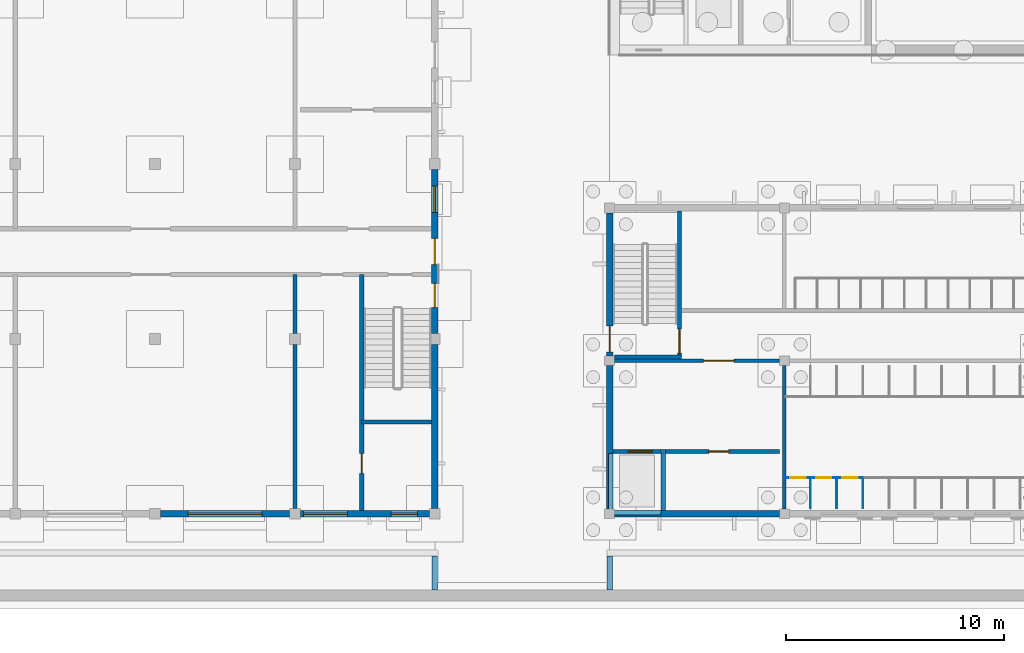
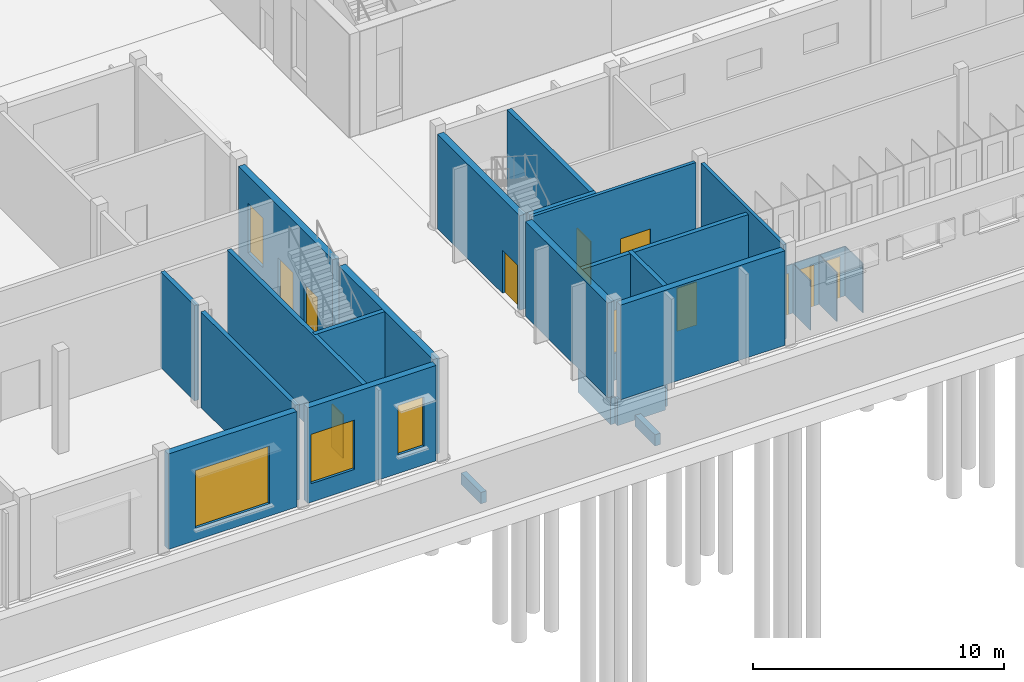
# One storey, part 75 of 157: 30 walls, 11 doors, 4 windows, 15 openings.
"""IFC4 building model written with IfcOpenShell, lengths in metres."""

from ifc_helpers import new_model, si_unit, direction, frame, frame_2d, origin, place, context, subcontext, project, spatial, rectangle, extrude, material, layer, layer_set, type_object, element, fill, save


model = new_model("IFC4")

# Units and contexts
model_context = context("Model", 3, precision=1e-05, world=origin(), true_north=direction((0.0, 1.0)))
body_context = subcontext(model_context, "Body", "Model", "MODEL_VIEW")
ifc_project = project(units=[si_unit("LENGTHUNIT", "METRE"), si_unit("AREAUNIT", "SQUARE_METRE"), si_unit("VOLUMEUNIT", "CUBIC_METRE"), si_unit("PLANEANGLEUNIT", "RADIAN"), si_unit("MASSUNIT", "GRAM", prefix="KILO")], contexts=[model_context])

# Site, building, storey
site_placement = place(None, origin())
site = spatial("IfcSite", under=ifc_project, at=site_placement, CompositionType="ELEMENT")
building_placement = place(site_placement, origin())
building = spatial("IfcBuilding", under=site, at=building_placement, Name="Windward Yard Aquatics Centre", CompositionType="ELEMENT")
storey_placement = place(building_placement, origin())
storey = spatial("IfcBuildingStorey", under=building, at=storey_placement, Name="L00", CompositionType="ELEMENT", Elevation=0.0)

# Wall, opening, door
ifc_material_1 = material(Name="Concrete masonry unit plastered", Category="masonry")
ifc_layer_1 = layer(ifc_material_1, 0.14990234375)
ifc_layer_set_1 = layer_set([ifc_layer_1], Name="C block partition 150")
wall_type_1 = type_object("IfcWallType", Name="C block partition 150", PredefinedType="PARTITIONING", material=ifc_layer_set_1)
wall_1_placement = place(storey_placement, frame((52.22509765625, 12.0, 0.0), z_axis=(0.0, 0.0, 1.0), x_axis=(1.0, 0.0, 0.0)))
wall_1 = element("IfcWall", 1, at=wall_1_placement, inside=storey, type_object=wall_type_1, Name="C.W.L00.SP.S.1", PredefinedType="PARTITIONING", context=body_context, shape_type="SweptSolid", body=[
    extrude(rectangle(XDim=7.5498046875, YDim=0.14990234375, at=frame_2d((3.77490234375, 0.0))), origin(), (0.0, 0.0, 1.0), 4.60009765625),
])
opening_1_placement = place(wall_1_placement, frame((4.074951171875, 0.0, 0.0)))
opening_1 = element("IfcOpeningElement", 2, at=opening_1_placement, cuts=wall_1, Name="Opening C0024", PredefinedType="OPENING", context=body_context, shape_type="SweptSolid", body=[
    extrude(rectangle(XDim=1.39990234375, YDim=2.10009765625, at=frame_2d((0.699951171875, 1.050048828125))), frame((0.0, 0.0849609375, 0.0), z_axis=(0.0, -1.0, 0.0), x_axis=(1.0, 0.0, 0.0)), (0.0, 0.0, 1.0), 0.169921875),
])
ifc_material_2 = material(Name="Aluminium framed glazed door", Category="aluminium")
door_type_1 = type_object("IfcDoorType", Name="C glazed door 1400X2100 FD30S", OperationType="SINGLE_SWING_LEFT", PredefinedType="DOOR", material=ifc_material_2)
door_1_placement = place(opening_1_placement, origin())
door_1 = element("IfcDoor", 3, at=door_1_placement, inside=storey, type_object=door_type_1, Name="Door C0024", OperationType="SINGLE_SWING_LEFT", OverallHeight=2.10009765625, OverallWidth=1.39990234375, PredefinedType="DOOR", context=body_context, shape_type="SweptSolid", body=[
    extrude(rectangle(XDim=1.39990234375, YDim=2.10009765625, at=frame_2d((0.699951171875, 1.050048828125))), frame((0.0, 0.02490234375, 0.0), z_axis=(0.0, -1.0, 0.0), x_axis=(1.0, 0.0, 0.0)), (0.0, 0.0, 1.0), 0.050048828125),
])
fill(opening_1, door_1)

# Walls
wall_2_placement = place(storey_placement, frame((60.0, 5.22509765625, 0.0), z_axis=(0.0, 0.0, 1.0), x_axis=(0.0, 1.0, 0.0)))
element("IfcWall", 4, at=wall_2_placement, inside=storey, type_object=wall_type_1, Name="C.W.L00.SD.8.1", PredefinedType="PARTITIONING", context=body_context, shape_type="SweptSolid", body=[
    extrude(rectangle(XDim=6.5498046875, YDim=0.14990234375, at=frame_2d((3.27490234375, 0.0))), origin(), (0.0, 0.0, 1.0), 4.60009765625),
])
ifc_material_3 = material(Name="Concrete C35/45", Category="concrete")
ifc_layer_2 = layer(ifc_material_3, 0.199951171875)
ifc_layer_set_2 = layer_set([ifc_layer_2], Name="C core enclosure wall 200")
wall_type_2 = type_object("IfcWallType", Name="C core enclosure wall 200", PredefinedType="SOLIDWALL", material=ifc_layer_set_2)
wall_3_placement = place(storey_placement, frame((54.449951171875, 5.14990234375, 0.0), z_axis=(0.0, 0.0, 1.0), x_axis=(0.0, 1.0, 0.0)))
element("IfcWall", 5, at=wall_3_placement, inside=storey, type_object=wall_type_2, Name="C.W.L00.LS.E", PredefinedType="SOLIDWALL", context=body_context, shape_type="SweptSolid", body=[
    extrude(rectangle(XDim=2.800048828125, YDim=0.199951171875, at=frame_2d((1.39990234375, 0.0))), origin(), (0.0, 0.0, 1.0), 4.60009765625),
])

# Wall, opening, door
wall_4_placement = place(storey_placement, frame((52.14990234375, 7.85009765625, 0.0), z_axis=(0.0, 0.0, 1.0), x_axis=(1.0, 0.0, 0.0)))
wall_4 = element("IfcWall", 6, at=wall_4_placement, inside=storey, type_object=wall_type_2, Name="C.W.L00.LS.N", PredefinedType="SOLIDWALL", context=body_context, shape_type="SweptSolid", body=[
    extrude(rectangle(XDim=2.2001953125, YDim=0.199951171875, at=frame_2d((1.10009765625, 0.0))), origin(), (0.0, 0.0, 1.0), 4.60009765625),
])
opening_2_placement = place(wall_4_placement, frame((0.699951171875, 0.0, 0.0)))
opening_2 = element("IfcOpeningElement", 7, at=opening_2_placement, cuts=wall_4, Name="Opening C0900", PredefinedType="OPENING", context=body_context, shape_type="SweptSolid", body=[
    extrude(rectangle(XDim=1.10009765625, YDim=2.10009765625, at=frame_2d((0.550048828125, 1.050048828125))), frame((0.0, 0.10986328125, 0.0), z_axis=(0.0, -1.0, 0.0), x_axis=(1.0, 0.0, 0.0)), (0.0, 0.0, 1.0), 0.219970703125),
])
ifc_material_4 = material(Name="Aluminium framed glazed sliding door", Category="aluminium")
door_type_2 = type_object("IfcDoorType", Name="C sliding door 1100X2100 FD60", OperationType="SLIDING_TO_LEFT", PredefinedType="DOOR", material=ifc_material_4)
door_2_placement = place(opening_2_placement, origin())
door_2 = element("IfcDoor", 8, at=door_2_placement, inside=storey, type_object=door_type_2, Name="Lift 1 landing door L00", OperationType="SLIDING_TO_LEFT", OverallHeight=2.10009765625, OverallWidth=1.10009765625, PredefinedType="DOOR", context=body_context, shape_type="SweptSolid", body=[
    extrude(rectangle(XDim=1.10009765625, YDim=2.10009765625, at=frame_2d((0.550048828125, 1.050048828125))), frame((0.0, 0.02490234375, 0.0), z_axis=(0.0, -1.0, 0.0), x_axis=(1.0, 0.0, 0.0)), (0.0, 0.0, 1.0), 0.050048828125),
])
fill(opening_2, door_2)

wall_5_placement = place(storey_placement, frame((54.550048828125, 7.85009765625, 0.0), z_axis=(0.0, 0.0, 1.0), x_axis=(1.0, 0.0, 0.0)))
wall_5 = element("IfcWall", 9, at=wall_5_placement, inside=storey, type_object=wall_type_2, Name="C.W.L00.CW.S1", PredefinedType="SOLIDWALL", context=body_context, shape_type="SweptSolid", body=[
    extrude(rectangle(XDim=5.224853515625, YDim=0.199951171875, at=frame_2d((2.6123046875, 0.0))), origin(), (0.0, 0.0, 1.0), 4.60009765625),
])
opening_3_placement = place(wall_5_placement, frame((2.0, 0.0, 0.0)))
opening_3 = element("IfcOpeningElement", 10, at=opening_3_placement, cuts=wall_5, Name="Opening C0025", PredefinedType="OPENING", context=body_context, shape_type="SweptSolid", body=[
    extrude(rectangle(XDim=0.89990234375, YDim=2.10009765625, at=frame_2d((0.449951171875, 1.050048828125))), frame((0.0, 0.10986328125, 0.0), z_axis=(0.0, -1.0, 0.0), x_axis=(1.0, 0.0, 0.0)), (0.0, 0.0, 1.0), 0.219970703125),
])
ifc_material_5 = material(Name="Timber door leaf in steel frame", Category="steel")
door_type_3 = type_object("IfcDoorType", Name="C door 900X2100 FD30S", OperationType="SINGLE_SWING_LEFT", PredefinedType="DOOR", material=ifc_material_5)
door_3_placement = place(opening_3_placement, origin())
door_3 = element("IfcDoor", 11, at=door_3_placement, inside=storey, type_object=door_type_3, Name="Door C0025", OperationType="SINGLE_SWING_LEFT", OverallHeight=2.10009765625, OverallWidth=0.89990234375, PredefinedType="DOOR", context=body_context, shape_type="SweptSolid", body=[
    extrude(rectangle(XDim=0.89990234375, YDim=2.10009765625, at=frame_2d((0.449951171875, 1.050048828125))), frame((0.0, 0.02490234375, 0.0), z_axis=(0.0, -1.0, 0.0), x_axis=(1.0, 0.0, 0.0)), (0.0, 0.0, 1.0), 0.050048828125),
])
fill(opening_3, door_3)

wall_6_placement = place(storey_placement, frame((55.199951171875, 12.27490234375, 0.0), z_axis=(0.0, 0.0, 1.0), x_axis=(0.0, 1.0, 0.0)))
wall_6 = element("IfcWall", 12, at=wall_6_placement, inside=storey, type_object=wall_type_2, Name="C.W.L00.SE1.D", PredefinedType="SOLIDWALL", context=body_context, shape_type="SweptSolid", body=[
    extrude(rectangle(XDim=6.5751953125, YDim=0.199951171875, at=frame_2d((3.28759765625, 0.0))), origin(), (0.0, 0.0, 1.0), 4.60009765625),
])
opening_4_placement = place(wall_6_placement, frame((0.074951171875, 0.0, 0.0)))
opening_4 = element("IfcOpeningElement", 13, at=opening_4_placement, cuts=wall_6, Name="Opening C0026", PredefinedType="OPENING", context=body_context, shape_type="SweptSolid", body=[
    extrude(rectangle(XDim=1.10009765625, YDim=2.10009765625, at=frame_2d((0.550048828125, 1.050048828125))), frame((0.0, 0.10986328125, 0.0), z_axis=(0.0, -1.0, 0.0), x_axis=(1.0, 0.0, 0.0)), (0.0, 0.0, 1.0), 0.219970703125),
])
ifc_material_6 = material(Name="Steel door leaf in steel frame", Category="steel")
door_type_4 = type_object("IfcDoorType", Name="C steel door 1100X2100 FD60", OperationType="SINGLE_SWING_LEFT", PredefinedType="DOOR", material=ifc_material_6)
door_4_placement = place(opening_4_placement, origin())
door_4 = element("IfcDoor", 14, at=door_4_placement, inside=storey, type_object=door_type_4, Name="Door C0026", OperationType="SINGLE_SWING_LEFT", OverallHeight=2.10009765625, OverallWidth=1.10009765625, PredefinedType="DOOR", context=body_context, shape_type="SweptSolid", body=[
    extrude(rectangle(XDim=1.10009765625, YDim=2.10009765625, at=frame_2d((0.550048828125, 1.050048828125))), frame((0.0, 0.02490234375, 0.0), z_axis=(0.0, -1.0, 0.0), x_axis=(1.0, 0.0, 0.0)), (0.0, 0.0, 1.0), 0.050048828125),
])
fill(opening_4, door_4)

# Walls
wall_7_placement = place(storey_placement, frame((52.22509765625, 12.175048828125, 0.0), z_axis=(0.0, 0.0, 1.0), x_axis=(1.0, 0.0, 0.0)))
element("IfcWall", 15, at=wall_7_placement, inside=storey, type_object=wall_type_2, Name="C.W.L00.SE1.S", PredefinedType="SOLIDWALL", context=body_context, shape_type="SweptSolid", body=[
    extrude(rectangle(XDim=3.074951171875, YDim=0.199951171875, at=frame_2d((1.53759765625, 0.0))), origin(), (0.0, 0.0, 1.0), 4.60009765625),
])
ifc_material_7 = material(Name="High-pressure laminate panel on stainless frame")
ifc_layer_3 = layer(ifc_material_7, 0.0400390625)
ifc_layer_set_3 = layer_set([ifc_layer_3], Name="C cubicle panel 40")
wall_type_3 = type_object("IfcWallType", Name="C cubicle panel 40", PredefinedType="PARTITIONING", material=ifc_layer_set_3)
for number, where, z_axis, x_axis, name in (
    (16, (61.199951171875, 5.25, 0.0), (0.0, 0.0, 1.0), (0.0, 1.0, 0.0), "C.W.L00.A.P1"),
    (17, (62.39990234375, 5.25, 0.0), (0.0, 0.0, 1.0), (0.0, 1.0, 0.0), "C.W.L00.A.P2"),
    (18, (63.60009765625, 5.25, 0.0), (0.0, 0.0, 1.0), (0.0, 1.0, 0.0), "C.W.L00.A.P3"),
):
    element("IfcWall", number, at=place(storey_placement, frame(where, z_axis=z_axis, x_axis=x_axis)), inside=storey, type_object=wall_type_3, Name=name, PredefinedType="PARTITIONING", context=body_context, shape_type="SweptSolid", body=[
        extrude(rectangle(XDim=1.39990234375, YDim=0.0400390625, at=frame_2d((0.699951171875, 0.0))), origin(), (0.0, 0.0, 1.0), 2.39990234375),
    ])

# Wall, opening, door
wall_8_placement = place(storey_placement, frame((60.074951171875, 6.64990234375, 0.0), z_axis=(0.0, 0.0, 1.0), x_axis=(1.0, 0.0, 0.0)))
wall_8 = element("IfcWall", 19, at=wall_8_placement, inside=storey, type_object=wall_type_3, Name="C.W.L00.A.F0", PredefinedType="PARTITIONING", context=body_context, shape_type="SweptSolid", body=[
    extrude(rectangle(XDim=1.10498046875, YDim=0.0400390625, at=frame_2d((0.552490234375, 0.0))), origin(), (0.0, 0.0, 1.0), 2.39990234375),
])
opening_5_placement = place(wall_8_placement, frame((0.202392578125, 0.0, 0.0)))
opening_5 = element("IfcOpeningElement", 20, at=opening_5_placement, cuts=wall_8, Name="Opening C0028", PredefinedType="OPENING", context=body_context, shape_type="SweptSolid", body=[
    extrude(rectangle(XDim=0.699951171875, YDim=2.0, at=frame_2d((0.35009765625, 1.0))), frame((0.0, 0.030029296875, 0.0), z_axis=(0.0, -1.0, 0.0), x_axis=(1.0, 0.0, 0.0)), (0.0, 0.0, 1.0), 0.06005859375),
])
ifc_material_8 = material(Name="High-pressure laminate door leaf")
door_type_5 = type_object("IfcDoorType", Name="C door 700X2000 NOT RATED", OperationType="SINGLE_SWING_LEFT", PredefinedType="DOOR", material=ifc_material_8)
door_5_placement = place(opening_5_placement, origin())
door_5 = element("IfcDoor", 21, at=door_5_placement, inside=storey, type_object=door_type_5, Name="Cubicle door A1", OperationType="SINGLE_SWING_LEFT", OverallHeight=2.0, OverallWidth=0.699951171875, PredefinedType="DOOR", context=body_context, shape_type="SweptSolid", body=[
    extrude(rectangle(XDim=0.699951171875, YDim=2.0, at=frame_2d((0.35009765625, 1.0))), frame((0.0, 0.019775390625, 0.0), z_axis=(0.0, -1.0, 0.0), x_axis=(1.0, 0.0, 0.0)), (0.0, 0.0, 1.0), 0.03955078125),
])
fill(opening_5, door_5)

wall_9_placement = place(storey_placement, frame((61.219970703125, 6.64990234375, 0.0), z_axis=(0.0, 0.0, 1.0), x_axis=(1.0, 0.0, 0.0)))
wall_9 = element("IfcWall", 22, at=wall_9_placement, inside=storey, type_object=wall_type_3, Name="C.W.L00.A.F1", PredefinedType="PARTITIONING", context=body_context, shape_type="SweptSolid", body=[
    extrude(rectangle(XDim=1.159912109375, YDim=0.0400390625, at=frame_2d((0.580078125, 0.0))), origin(), (0.0, 0.0, 1.0), 2.39990234375),
])
opening_6_placement = place(wall_9_placement, frame((0.22998046875, 0.0, 0.0)))
opening_6 = element("IfcOpeningElement", 23, at=opening_6_placement, cuts=wall_9, Name="Opening C0029", PredefinedType="OPENING", context=body_context, shape_type="SweptSolid", body=[
    extrude(rectangle(XDim=0.699951171875, YDim=2.0, at=frame_2d((0.35009765625, 1.0))), frame((0.0, 0.030029296875, 0.0), z_axis=(0.0, -1.0, 0.0), x_axis=(1.0, 0.0, 0.0)), (0.0, 0.0, 1.0), 0.06005859375),
])
door_6_placement = place(opening_6_placement, origin())
door_6 = element("IfcDoor", 24, at=door_6_placement, inside=storey, type_object=door_type_5, Name="Cubicle door A2", OperationType="SINGLE_SWING_LEFT", OverallHeight=2.0, OverallWidth=0.699951171875, PredefinedType="DOOR", context=body_context, shape_type="SweptSolid", body=[
    extrude(rectangle(XDim=0.699951171875, YDim=2.0, at=frame_2d((0.35009765625, 1.0))), frame((0.0, 0.019775390625, 0.0), z_axis=(0.0, -1.0, 0.0), x_axis=(1.0, 0.0, 0.0)), (0.0, 0.0, 1.0), 0.03955078125),
])
fill(opening_6, door_6)

wall_10_placement = place(storey_placement, frame((62.419921875, 6.64990234375, 0.0), z_axis=(0.0, 0.0, 1.0), x_axis=(1.0, 0.0, 0.0)))
wall_10 = element("IfcWall", 25, at=wall_10_placement, inside=storey, type_object=wall_type_3, Name="C.W.L00.A.F2", PredefinedType="PARTITIONING", context=body_context, shape_type="SweptSolid", body=[
    extrude(rectangle(XDim=1.16015625, YDim=0.0400390625, at=frame_2d((0.580078125, 0.0))), origin(), (0.0, 0.0, 1.0), 2.39990234375),
])
opening_7_placement = place(wall_10_placement, frame((0.22998046875, 0.0, 0.0)))
opening_7 = element("IfcOpeningElement", 26, at=opening_7_placement, cuts=wall_10, Name="Opening C0030", PredefinedType="OPENING", context=body_context, shape_type="SweptSolid", body=[
    extrude(rectangle(XDim=0.699951171875, YDim=2.0, at=frame_2d((0.35009765625, 1.0))), frame((0.0, 0.030029296875, 0.0), z_axis=(0.0, -1.0, 0.0), x_axis=(1.0, 0.0, 0.0)), (0.0, 0.0, 1.0), 0.06005859375),
])
door_7_placement = place(opening_7_placement, origin())
door_7 = element("IfcDoor", 27, at=door_7_placement, inside=storey, type_object=door_type_5, Name="Cubicle door A3", OperationType="SINGLE_SWING_LEFT", OverallHeight=2.0, OverallWidth=0.699951171875, PredefinedType="DOOR", context=body_context, shape_type="SweptSolid", body=[
    extrude(rectangle(XDim=0.699951171875, YDim=2.0, at=frame_2d((0.35009765625, 1.0))), frame((0.0, 0.019775390625, 0.0), z_axis=(0.0, -1.0, 0.0), x_axis=(1.0, 0.0, 0.0)), (0.0, 0.0, 1.0), 0.03955078125),
])
fill(opening_7, door_7)

# Walls
ifc_layer_4 = layer(ifc_material_3, 0.199951171875)
ifc_layer_set_4 = layer_set([ifc_layer_4], Name="C lift pit wall 200")
wall_type_4 = type_object("IfcWallType", Name="C lift pit wall 200", PredefinedType="SOLIDWALL", material=ifc_layer_set_4)
wall_11_placement = place(storey_placement, frame((52.14990234375, 7.85009765625, -1.300048828125), z_axis=(0.0, 0.0, 1.0), x_axis=(1.0, 0.0, 0.0)))
element("IfcWall", 28, at=wall_11_placement, inside=storey, type_object=wall_type_4, Name="C.W.PIT.N", PredefinedType="SOLIDWALL", context=body_context, shape_type="SweptSolid", body=[
    extrude(rectangle(XDim=2.300048828125, YDim=0.199951171875, at=frame_2d((1.14990234375, 0.0))), origin(), (0.0, 0.0, 1.0), 1.300048828125),
])
wall_12_placement = place(storey_placement, frame((54.449951171875, 5.14990234375, -1.300048828125), z_axis=(0.0, 0.0, 1.0), x_axis=(0.0, 1.0, 0.0)))
element("IfcWall", 29, at=wall_12_placement, inside=storey, type_object=wall_type_4, Name="C.W.PIT.E", PredefinedType="SOLIDWALL", context=body_context, shape_type="SweptSolid", body=[
    extrude(rectangle(XDim=2.800048828125, YDim=0.199951171875, at=frame_2d((1.39990234375, 0.0))), origin(), (0.0, 0.0, 1.0), 1.300048828125),
])
wall_13_placement = place(storey_placement, frame((52.050048828125, 5.14990234375, -1.300048828125), z_axis=(0.0, 0.0, 1.0), x_axis=(0.0, 1.0, 0.0)))
element("IfcWall", 30, at=wall_13_placement, inside=storey, type_object=wall_type_4, Name="C.W.PIT.W", PredefinedType="SOLIDWALL", context=body_context, shape_type="SweptSolid", body=[
    extrude(rectangle(XDim=2.60009765625, YDim=0.199951171875, at=frame_2d((1.300048828125, 0.0))), origin(), (0.0, 0.0, 1.0), 1.300048828125),
])
wall_14_placement = place(storey_placement, frame((52.14990234375, 5.050048828125, -1.300048828125), z_axis=(0.0, 0.0, 1.0), x_axis=(1.0, 0.0, 0.0)))
element("IfcWall", 31, at=wall_14_placement, inside=storey, type_object=wall_type_4, Name="C.W.PIT.S", PredefinedType="SOLIDWALL", context=body_context, shape_type="SweptSolid", body=[
    extrude(rectangle(XDim=2.2001953125, YDim=0.199951171875, at=frame_2d((1.10009765625, 0.0))), origin(), (0.0, 0.0, 1.0), 1.300048828125),
])
ifc_material_9 = material(Name="Natural stone cladding", Category="masonry")
ifc_layer_5 = layer(ifc_material_9, 0.04, Name="Cladding")
ifc_material_10 = material(Name="Ventilated air cavity")
ifc_layer_6 = layer(ifc_material_10, 0.04, ventilated=True, Name="Ventilated cavity")
ifc_material_11 = material(Name="Mineral wool insulation")
ifc_layer_7 = layer(ifc_material_11, 0.06, Name="Insulation")
ifc_layer_8 = layer(ifc_material_3, 0.16, Name="Structure")
ifc_layer_set_5 = layer_set([ifc_layer_5, ifc_layer_6, ifc_layer_7, ifc_layer_8], Name="C stone-faced external wall 300")
wall_type_5 = type_object("IfcWallType", Name="C stone-faced external wall 300", PredefinedType="ELEMENTEDWALL", material=ifc_layer_set_5)
wall_15_placement = place(storey_placement, frame((52.22509765625, 5.0, 0.0), z_axis=(0.0, 0.0, 1.0), x_axis=(1.0, 0.0, 0.0)))
element("IfcWall", 32, at=wall_15_placement, inside=storey, type_object=wall_type_5, Name="C.W.L00.S1", PredefinedType="ELEMENTEDWALL", context=body_context, shape_type="SweptSolid", body=[
    extrude(rectangle(XDim=7.5498046875, YDim=0.300048828125, at=frame_2d((3.77490234375, 0.0))), origin(), (0.0, 0.0, 1.0), 4.60009765625),
])
wall_16_placement = place(storey_placement, frame((52.0, 5.22509765625, 0.0), z_axis=(0.0, 0.0, 1.0), x_axis=(0.0, 1.0, 0.0)))
element("IfcWall", 33, at=wall_16_placement, inside=storey, type_object=wall_type_5, Name="C.W.L00.W1", PredefinedType="ELEMENTEDWALL", context=body_context, shape_type="SweptSolid", body=[
    extrude(rectangle(XDim=6.5498046875, YDim=0.300048828125, at=frame_2d((3.27490234375, 0.0))), origin(), (0.0, 0.0, 1.0), 4.60009765625),
])

# Wall, opening, door
wall_17_placement = place(storey_placement, frame((52.0, 12.22509765625, 0.0), z_axis=(0.0, 0.0, 1.0), x_axis=(0.0, 1.0, 0.0)))
wall_17 = element("IfcWall", 34, at=wall_17_placement, inside=storey, type_object=wall_type_5, Name="C.W.L00.W2", PredefinedType="ELEMENTEDWALL", context=body_context, shape_type="SweptSolid", body=[
    extrude(rectangle(XDim=6.5498046875, YDim=0.300048828125, at=frame_2d((3.27490234375, 0.0))), origin(), (0.0, 0.0, 1.0), 4.60009765625),
])
opening_8_placement = place(wall_17_placement, frame((0.175048828125, 0.0, 0.0)))
opening_8 = element("IfcOpeningElement", 35, at=opening_8_placement, cuts=wall_17, Name="Opening C0001", PredefinedType="OPENING", context=body_context, shape_type="SweptSolid", body=[
    extrude(rectangle(XDim=1.199951171875, YDim=2.10009765625, at=frame_2d((0.60009765625, 1.050048828125))), frame((0.0, 0.16015625, 0.0), z_axis=(0.0, -1.0, 0.0), x_axis=(1.0, 0.0, 0.0)), (0.0, 0.0, 1.0), 0.320068359375),
])
door_type_6 = type_object("IfcDoorType", Name="C steel door 1200X2100 FD60", OperationType="SINGLE_SWING_LEFT", PredefinedType="DOOR", material=ifc_material_6)
door_8_placement = place(opening_8_placement, origin())
door_8 = element("IfcDoor", 36, at=door_8_placement, inside=storey, type_object=door_type_6, Name="Stair 1 exit door", OperationType="SINGLE_SWING_LEFT", OverallHeight=2.10009765625, OverallWidth=1.199951171875, PredefinedType="DOOR", context=body_context, shape_type="SweptSolid", body=[
    extrude(rectangle(XDim=1.199951171875, YDim=2.10009765625, at=frame_2d((0.60009765625, 1.050048828125))), frame((0.0, 0.02490234375, 0.0), z_axis=(0.0, -1.0, 0.0), x_axis=(1.0, 0.0, 0.0)), (0.0, 0.0, 1.0), 0.050048828125),
])
fill(opening_8, door_8)

# Walls
ifc_layer_9 = layer(ifc_material_1, 0.199951171875)
ifc_layer_set_6 = layer_set([ifc_layer_9], Name="P masonry partition 200")
wall_type_6 = type_object("IfcWallType", Name="P masonry partition 200", PredefinedType="PARTITIONING", material=ifc_layer_set_6)
wall_18_placement = place(storey_placement, frame((37.60009765625, 5.25, 0.0), z_axis=(0.0, 0.0, 1.0), x_axis=(0.0, 1.0, 0.0)))
element("IfcWall", 37, at=wall_18_placement, inside=storey, type_object=wall_type_6, Name="P.W.L00.V3.1", PredefinedType="PARTITIONING", context=body_context, shape_type="SweptSolid", body=[
    extrude(rectangle(XDim=7.5, YDim=0.199951171875, at=frame_2d((3.75, 0.0))), origin(), (0.0, 0.0, 1.0), 4.639892578125),
])
wall_19_placement = place(storey_placement, frame((37.60009765625, 13.25, 0.0), z_axis=(0.0, 0.0, 1.0), x_axis=(0.0, 1.0, 0.0)))
element("IfcWall", 38, at=wall_19_placement, inside=storey, type_object=wall_type_6, Name="P.W.L00.V3.2", PredefinedType="PARTITIONING", context=body_context, shape_type="SweptSolid", body=[
    extrude(rectangle(XDim=2.699951171875, YDim=0.199951171875, at=frame_2d((1.35009765625, 0.0))), origin(), (0.0, 0.0, 1.0), 4.639892578125),
])

# Wall, opening, window
ifc_layer_10 = layer(ifc_material_3, 0.300048828125)
ifc_layer_set_7 = layer_set([ifc_layer_10], Name="P plant external wall 300")
wall_type_7 = type_object("IfcWallType", Name="P plant external wall 300", PredefinedType="SOLIDWALL", material=ifc_layer_set_7)
wall_20_placement = place(storey_placement, frame((31.449951171875, 5.0, 0.0), z_axis=(0.0, 0.0, 1.0), x_axis=(1.0, 0.0, 0.0)))
wall_20 = element("IfcWall", 39, at=wall_20_placement, inside=storey, type_object=wall_type_7, Name="P.W.L00.S4", PredefinedType="SOLIDWALL", context=body_context, shape_type="SweptSolid", body=[
    extrude(rectangle(XDim=5.900146484375, YDim=0.300048828125, at=frame_2d((2.9501953125, 0.0))), origin(), (0.0, 0.0, 1.0), 4.639892578125),
])
opening_9_placement = place(wall_20_placement, frame((1.25, 0.0, 0.60009765625)))
opening_9 = element("IfcOpeningElement", 40, at=opening_9_placement, cuts=wall_20, Name="Opening PW0003", PredefinedType="OPENING", context=body_context, shape_type="SweptSolid", body=[
    extrude(rectangle(XDim=3.39990234375, YDim=2.800048828125, at=frame_2d((1.699951171875, 1.39990234375))), frame((0.0, 0.16015625, 0.0), z_axis=(0.0, -1.0, 0.0), x_axis=(1.0, 0.0, 0.0)), (0.0, 0.0, 1.0), 0.320068359375),
])
ifc_material_12 = material(Name="Aluminium storm louvre", Category="aluminium")
window_type_1 = type_object("IfcWindowType", Name="P louvre 3400X2800", PartitioningType="NOTDEFINED", PredefinedType="USERDEFINED", material=ifc_material_12)
window_1_placement = place(opening_9_placement, origin())
window_1 = element("IfcWindow", 41, at=window_1_placement, inside=storey, type_object=window_type_1, Name="Louvre PW0003", ObjectType="STORM LOUVRE", OverallHeight=2.800048828125, OverallWidth=3.39990234375, PartitioningType="SINGLE_PANEL", PredefinedType="USERDEFINED", context=body_context, shape_type="SweptSolid", body=[
    extrude(rectangle(XDim=3.39990234375, YDim=2.800048828125, at=frame_2d((1.699951171875, 1.39990234375))), frame((0.0, 0.030029296875, 0.0), z_axis=(0.0, -1.0, 0.0), x_axis=(1.0, 0.0, 0.0)), (0.0, 0.0, 1.0), 0.06005859375),
])
fill(opening_9, window_1)

# Wall, openings, windows
wall_21_placement = place(storey_placement, frame((37.85009765625, 5.0, 0.0), z_axis=(0.0, 0.0, 1.0), x_axis=(1.0, 0.0, 0.0)))
wall_21 = element("IfcWall", 42, at=wall_21_placement, inside=storey, type_object=wall_type_7, Name="P.W.L00.S5", PredefinedType="SOLIDWALL", context=body_context, shape_type="SweptSolid", body=[
    extrude(rectangle(XDim=5.89990234375, YDim=0.300048828125, at=frame_2d((2.949951171875, 0.0))), origin(), (0.0, 0.0, 1.0), 4.639892578125),
])
opening_10_placement = place(wall_21_placement, frame((0.14990234375, 0.0, 0.89990234375)))
opening_10 = element("IfcOpeningElement", 43, at=opening_10_placement, cuts=wall_21, Name="Opening PW0004", PredefinedType="OPENING", context=body_context, shape_type="SweptSolid", body=[
    extrude(rectangle(XDim=2.0, YDim=2.39990234375, at=frame_2d((1.0, 1.199951171875))), frame((0.0, 0.16015625, 0.0), z_axis=(0.0, -1.0, 0.0), x_axis=(1.0, 0.0, 0.0)), (0.0, 0.0, 1.0), 0.320068359375),
])
opening_11_placement = place(wall_21_placement, frame((4.14990234375, 0.0, 0.89990234375)))
opening_11 = element("IfcOpeningElement", 44, at=opening_11_placement, cuts=wall_21, Name="Opening PW0005", PredefinedType="OPENING", context=body_context, shape_type="SweptSolid", body=[
    extrude(rectangle(XDim=1.199951171875, YDim=2.39990234375, at=frame_2d((0.60009765625, 1.199951171875))), frame((0.0, 0.16015625, 0.0), z_axis=(0.0, -1.0, 0.0), x_axis=(1.0, 0.0, 0.0)), (0.0, 0.0, 1.0), 0.320068359375),
])
window_type_2 = type_object("IfcWindowType", Name="P louvre 1200X2400", PartitioningType="NOTDEFINED", PredefinedType="USERDEFINED", material=ifc_material_12)
window_2_placement = place(opening_11_placement, origin())
window_2 = element("IfcWindow", 45, at=window_2_placement, inside=storey, type_object=window_type_2, Name="Louvre PW0005", ObjectType="STORM LOUVRE", OverallHeight=2.39990234375, OverallWidth=1.199951171875, PartitioningType="SINGLE_PANEL", PredefinedType="USERDEFINED", context=body_context, shape_type="SweptSolid", body=[
    extrude(rectangle(XDim=1.199951171875, YDim=2.39990234375, at=frame_2d((0.60009765625, 1.199951171875))), frame((0.0, 0.030029296875, 0.0), z_axis=(0.0, -1.0, 0.0), x_axis=(1.0, 0.0, 0.0)), (0.0, 0.0, 1.0), 0.06005859375),
])
fill(opening_11, window_2)
window_type_3 = type_object("IfcWindowType", Name="P louvre 2000X2400", PartitioningType="NOTDEFINED", PredefinedType="USERDEFINED", material=ifc_material_12)
window_3_placement = place(opening_10_placement, origin())
window_3 = element("IfcWindow", 46, at=window_3_placement, inside=storey, type_object=window_type_3, Name="Louvre PW0004", ObjectType="STORM LOUVRE", OverallHeight=2.39990234375, OverallWidth=2.0, PartitioningType="SINGLE_PANEL", PredefinedType="USERDEFINED", context=body_context, shape_type="SweptSolid", body=[
    extrude(rectangle(XDim=2.0, YDim=2.39990234375, at=frame_2d((1.0, 1.199951171875))), frame((0.0, 0.030029296875, 0.0), z_axis=(0.0, -1.0, 0.0), x_axis=(1.0, 0.0, 0.0)), (0.0, 0.0, 1.0), 0.06005859375),
])
fill(opening_10, window_3)

# Wall
wall_22_placement = place(storey_placement, frame((44.0, 5.25, 0.0), z_axis=(0.0, 0.0, 1.0), x_axis=(0.0, 1.0, 0.0)))
element("IfcWall", 47, at=wall_22_placement, inside=storey, type_object=wall_type_7, Name="P.W.L00.E1", PredefinedType="SOLIDWALL", context=body_context, shape_type="SweptSolid", body=[
    extrude(rectangle(XDim=7.5, YDim=0.300048828125, at=frame_2d((3.75, 0.0))), origin(), (0.0, 0.0, 1.0), 4.639892578125),
])

# Wall, openings, window, doors
wall_23_placement = place(storey_placement, frame((44.0, 13.25, 0.0), z_axis=(0.0, 0.0, 1.0), x_axis=(0.0, 1.0, 0.0)))
wall_23 = element("IfcWall", 48, at=wall_23_placement, inside=storey, type_object=wall_type_7, Name="P.W.L00.E2", PredefinedType="SOLIDWALL", context=body_context, shape_type="SweptSolid", body=[
    extrude(rectangle(XDim=7.5, YDim=0.300048828125, at=frame_2d((3.75, 0.0))), origin(), (0.0, 0.0, 1.0), 4.639892578125),
])
opening_12_placement = place(wall_23_placement, frame((3.14990234375, 0.0, 0.0)))
opening_12 = element("IfcOpeningElement", 49, at=opening_12_placement, cuts=wall_23, Name="Opening P0003", PredefinedType="OPENING", context=body_context, shape_type="SweptSolid", body=[
    extrude(rectangle(XDim=1.199951171875, YDim=2.10009765625, at=frame_2d((0.60009765625, 1.050048828125))), frame((0.0, 0.16015625, 0.0), z_axis=(0.0, -1.0, 0.0), x_axis=(1.0, 0.0, 0.0)), (0.0, 0.0, 1.0), 0.320068359375),
])
opening_13_placement = place(wall_23_placement, frame((2.300048828125, 0.0, 0.0), z_axis=(0.0, 0.0, 1.0), x_axis=(-1.0, 0.0, 0.0)))
opening_13 = element("IfcOpeningElement", 50, at=opening_13_placement, cuts=wall_23, Name="Opening P0004", PredefinedType="OPENING", context=body_context, shape_type="SweptSolid", body=[
    extrude(rectangle(XDim=1.10009765625, YDim=2.10009765625, at=frame_2d((0.550048828125, 1.050048828125))), frame((0.0, 0.16015625, 0.0), z_axis=(0.0, -1.0, 0.0), x_axis=(1.0, 0.0, 0.0)), (0.0, 0.0, 1.0), 0.320068359375),
])
opening_14_placement = place(wall_23_placement, frame((5.550048828125, 0.0, 0.89990234375)))
opening_14 = element("IfcOpeningElement", 51, at=opening_14_placement, cuts=wall_23, Name="Opening PW0009", PredefinedType="OPENING", context=body_context, shape_type="SweptSolid", body=[
    extrude(rectangle(XDim=1.199951171875, YDim=2.39990234375, at=frame_2d((0.60009765625, 1.199951171875))), frame((0.0, 0.16015625, 0.0), z_axis=(0.0, -1.0, 0.0), x_axis=(1.0, 0.0, 0.0)), (0.0, 0.0, 1.0), 0.320068359375),
])
window_4_placement = place(opening_14_placement, origin())
window_4 = element("IfcWindow", 52, at=window_4_placement, inside=storey, type_object=window_type_2, Name="Louvre PW0009", ObjectType="STORM LOUVRE", OverallHeight=2.39990234375, OverallWidth=1.199951171875, PartitioningType="SINGLE_PANEL", PredefinedType="USERDEFINED", context=body_context, shape_type="SweptSolid", body=[
    extrude(rectangle(XDim=1.199951171875, YDim=2.39990234375, at=frame_2d((0.60009765625, 1.199951171875))), frame((0.0, 0.030029296875, 0.0), z_axis=(0.0, -1.0, 0.0), x_axis=(1.0, 0.0, 0.0)), (0.0, 0.0, 1.0), 0.06005859375),
])
fill(opening_14, window_4)
door_type_7 = type_object("IfcDoorType", Name="P steel door 1100X2100 FD60", OperationType="SINGLE_SWING_LEFT", PredefinedType="DOOR", material=ifc_material_6)
door_9_placement = place(opening_13_placement, origin())
door_9 = element("IfcDoor", 53, at=door_9_placement, inside=storey, type_object=door_type_7, Name="Door P0004", OperationType="SINGLE_SWING_LEFT", OverallHeight=2.10009765625, OverallWidth=1.10009765625, PredefinedType="DOOR", context=body_context, shape_type="SweptSolid", body=[
    extrude(rectangle(XDim=1.10009765625, YDim=2.10009765625, at=frame_2d((0.550048828125, 1.050048828125))), frame((0.0, 0.02490234375, 0.0), z_axis=(0.0, -1.0, 0.0), x_axis=(1.0, 0.0, 0.0)), (0.0, 0.0, 1.0), 0.050048828125),
])
fill(opening_13, door_9)
door_type_8 = type_object("IfcDoorType", Name="P steel door 1200X2100 FD60", OperationType="SINGLE_SWING_LEFT", PredefinedType="DOOR", material=ifc_material_6)
door_10_placement = place(opening_12_placement, origin())
door_10 = element("IfcDoor", 54, at=door_10_placement, inside=storey, type_object=door_type_8, Name="Door P0003", OperationType="SINGLE_SWING_LEFT", OverallHeight=2.10009765625, OverallWidth=1.199951171875, PredefinedType="DOOR", context=body_context, shape_type="SweptSolid", body=[
    extrude(rectangle(XDim=1.199951171875, YDim=2.10009765625, at=frame_2d((0.60009765625, 1.050048828125))), frame((0.0, 0.02490234375, 0.0), z_axis=(0.0, -1.0, 0.0), x_axis=(1.0, 0.0, 0.0)), (0.0, 0.0, 1.0), 0.050048828125),
])
fill(opening_12, door_10)

# Wall, opening, door
ifc_layer_11 = layer(ifc_material_3, 0.199951171875)
ifc_layer_set_8 = layer_set([ifc_layer_11], Name="P stair enclosure wall 200")
wall_type_8 = type_object("IfcWallType", Name="P stair enclosure wall 200", PredefinedType="SOLIDWALL", material=ifc_layer_set_8)
wall_24_placement = place(storey_placement, frame((40.64990234375, 5.14990234375, 0.0), z_axis=(0.0, 0.0, 1.0), x_axis=(0.0, 1.0, 0.0)))
wall_24 = element("IfcWall", 55, at=wall_24_placement, inside=storey, type_object=wall_type_8, Name="P.W.L00.V4.1", PredefinedType="SOLIDWALL", context=body_context, shape_type="SweptSolid", body=[
    extrude(rectangle(XDim=10.800048828125, YDim=0.199951171875, at=frame_2d((5.39990234375, 0.0))), origin(), (0.0, 0.0, 1.0), 4.639892578125),
])
opening_15_placement = place(wall_24_placement, frame((1.699951171875, 0.0, 0.0)))
opening_15 = element("IfcOpeningElement", 56, at=opening_15_placement, cuts=wall_24, Name="Opening P0015", PredefinedType="OPENING", context=body_context, shape_type="SweptSolid", body=[
    extrude(rectangle(XDim=0.89990234375, YDim=2.10009765625, at=frame_2d((0.449951171875, 1.050048828125))), frame((0.0, 0.10986328125, 0.0), z_axis=(0.0, -1.0, 0.0), x_axis=(1.0, 0.0, 0.0)), (0.0, 0.0, 1.0), 0.219970703125),
])
door_type_9 = type_object("IfcDoorType", Name="P door 900X2100 FD60", OperationType="SINGLE_SWING_LEFT", PredefinedType="DOOR", material=ifc_material_5)
door_11_placement = place(opening_15_placement, origin())
door_11 = element("IfcDoor", 57, at=door_11_placement, inside=storey, type_object=door_type_9, Name="Door P0015", OperationType="SINGLE_SWING_LEFT", OverallHeight=2.10009765625, OverallWidth=0.89990234375, PredefinedType="DOOR", context=body_context, shape_type="SweptSolid", body=[
    extrude(rectangle(XDim=0.89990234375, YDim=2.10009765625, at=frame_2d((0.449951171875, 1.050048828125))), frame((0.0, 0.02490234375, 0.0), z_axis=(0.0, -1.0, 0.0), x_axis=(1.0, 0.0, 0.0)), (0.0, 0.0, 1.0), 0.050048828125),
])
fill(opening_15, door_11)

# Walls
wall_25_placement = place(storey_placement, frame((40.64990234375, 9.199951171875, 0.0), z_axis=(0.0, 0.0, 1.0), x_axis=(1.0, 0.0, 0.0)))
element("IfcWall", 58, at=wall_25_placement, inside=storey, type_object=wall_type_8, Name="P.W.L00.H5.1", PredefinedType="SOLIDWALL", context=body_context, shape_type="SweptSolid", body=[
    extrude(rectangle(XDim=3.2001953125, YDim=0.199951171875, at=frame_2d((1.60009765625, 0.0))), origin(), (0.0, 0.0, 1.0), 4.639892578125),
])
ifc_material_13 = material(Name="Bituminous waterproofing membrane with root barrier")
ifc_layer_12 = layer(ifc_material_13, 0.005, Name="Waterproofing and root barrier")
ifc_material_14 = material(Name="Concrete C30/37", Category="concrete")
ifc_layer_13 = layer(ifc_material_14, 0.245, Name="Structure")
ifc_layer_set_9 = layer_set([ifc_layer_12, ifc_layer_13], Name="X Planter Wall Concrete C30/37 250 x 550")
wall_type_9 = type_object("IfcWallType", Name="X Planter Wall Concrete C30/37 250 x 550", PredefinedType="USERDEFINED", material=ifc_layer_set_9)
for number, where, z_axis, x_axis, name in (
    (59, (44.0, 1.5, -0.10009765625), (0.0, 0.0, 1.0), (0.0, 1.0, 0.0), "Rail side berm west planter wall"),
    (60, (52.0, 1.5, -0.10009765625), (0.0, 0.0, 1.0), (0.0, 1.0, 0.0), "Rail side berm centre planter wall"),
):
    element("IfcWall", number, at=place(storey_placement, frame(where, z_axis=z_axis, x_axis=x_axis)), inside=storey, type_object=wall_type_9, Name=name, ObjectType="PLANTER WALL", PredefinedType="USERDEFINED", context=body_context, shape_type="SweptSolid", body=[
        extrude(rectangle(XDim=1.574951171875, YDim=0.25, at=frame_2d((0.78759765625, 0.0))), origin(), (0.0, 0.0, 1.0), 0.550048828125),
    ])

save(model, "model.ifc")
